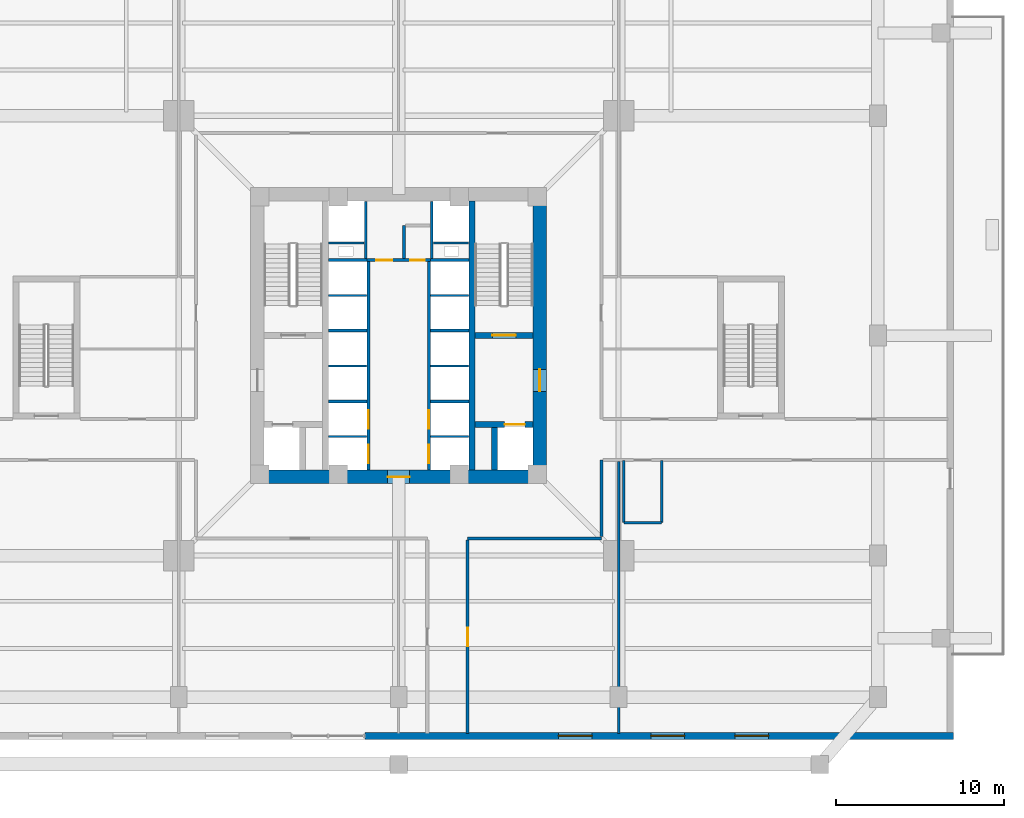
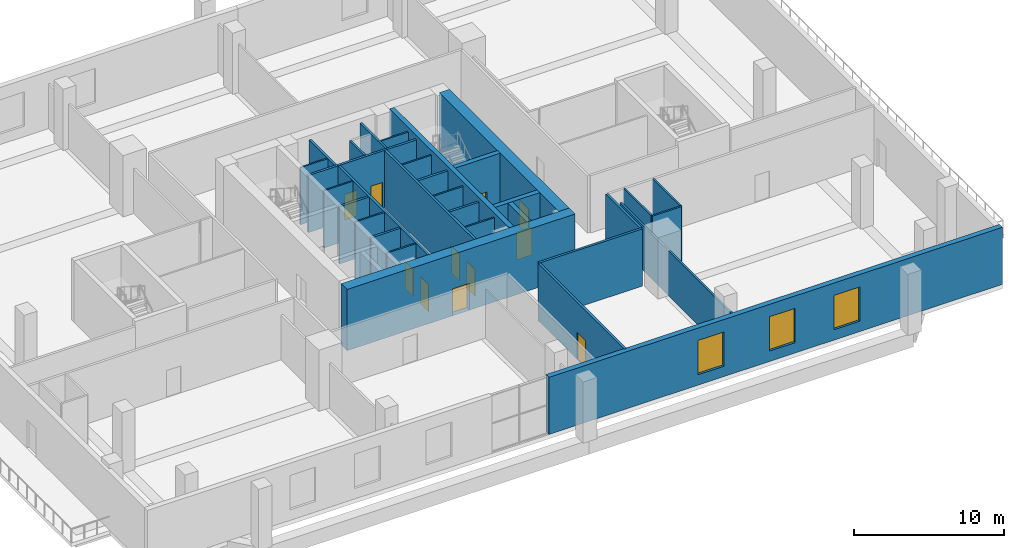
# One storey, part 7 of 14: 34 walls, 11 doors, 3 windows, 14 openings.
"""IFC4 building model written with IfcOpenShell, lengths in metres."""

import ifcopenshell
import ifcopenshell.guid

model = None  # the IFC model being written
_history = None  # IfcOwnerHistory: only IFC2X3 demands one
_inside = {}  # id of a spatial element -> (the spatial element, [elements in it])
_under = {}  # id of a project, library or spatial element -> (it, [spatial elements below it])
_declared = {}  # id of a project -> (the project, [libraries it declares])
_typed = {}  # id of a type object -> (the type object, [elements of that type])
_made_of = {}  # id of a material, layer set ... -> (it, [elements and type objects made of it])


def new_model(schema):
    """Start an empty IFC model of exactly this schema.

    Asked for "IFC4X3", IfcOpenShell would pick the latest addendum, in which some entities
    have other attributes; the version numbers below select the first issue.
    IFC2X3 requires an IfcOwnerHistory on every rooted entity: one is made here for all.
    """
    global model, _history
    if schema == "IFC4X3":
        model = ifcopenshell.file(schema_version=(4, 3, 0, 0))
    else:
        model = ifcopenshell.file(schema=schema)
    _inside.clear()
    _under.clear()
    _declared.clear()
    _typed.clear()
    _made_of.clear()
    _history = None
    if model.schema == "IFC2X3":
        org = make("IfcOrganization", Name="unknown")
        user = make(
            "IfcPersonAndOrganization",
            ThePerson=make("IfcPerson", FamilyName="unknown"),
            TheOrganization=org,
        )
        app = make(
            "IfcApplication",
            ApplicationDeveloper=org,
            Version="unknown",
            ApplicationFullName="unknown",
            ApplicationIdentifier="unknown",
        )
        _history = make(
            "IfcOwnerHistory",
            OwningUser=user,
            OwningApplication=app,
            ChangeAction="ADDED",
            CreationDate=0,
        )
    return model


def make(cls, **values):
    """One entity of the class cls with the attributes given. An attribute that is None is left unset."""
    return model.create_entity(
        cls, **{name: value for name, value in values.items() if value is not None}
    )


def rooted(cls, **values):
    """An entity with a GlobalId (a new one), such as an element, a storey or a relation."""
    return make(cls, GlobalId=ifcopenshell.guid.new(), OwnerHistory=_history, **values)


def si_unit(unit_type, name, prefix=None):
    """IfcSIUnit, for example si_unit("LENGTHUNIT", "METRE", prefix="MILLI")."""
    return make("IfcSIUnit", UnitType=unit_type, Prefix=prefix, Name=name)


def assignment(units):
    """IfcUnitAssignment: the units of a project."""
    return None if units is None else make("IfcUnitAssignment", Units=units)


def point(xyz):
    """IfcCartesianPoint."""
    return None if xyz is None else make("IfcCartesianPoint", Coordinates=xyz)


def direction(xyz):
    """IfcDirection."""
    return None if xyz is None else make("IfcDirection", DirectionRatios=xyz)


def frame(location, z_axis=None, x_axis=None):
    """IfcAxis2Placement3D, a coordinate frame: its origin and axes. An axis left out is left unset."""
    return make(
        "IfcAxis2Placement3D",
        Location=point(location),
        Axis=direction(z_axis),
        RefDirection=direction(x_axis),
    )


def frame_2d(location, x_axis=None):
    """IfcAxis2Placement2D, a coordinate frame in the plane: its origin and x axis."""
    return make(
        "IfcAxis2Placement2D", Location=point(location), RefDirection=direction(x_axis)
    )


def origin():
    """The frame at (0, 0, 0) with its axes left unset."""
    return frame((0.0, 0.0, 0.0))


def place(relative_to, where):
    """IfcLocalPlacement: puts the frame where relative to a parent placement (None: the world)."""
    return make(
        "IfcLocalPlacement", PlacementRelTo=relative_to, RelativePlacement=where
    )


def context(
    kind, dimensions, precision=None, world=None, true_north=None, identifier=None
):
    """IfcGeometricRepresentationContext, for example the 3D "Model" context."""
    return make(
        "IfcGeometricRepresentationContext",
        ContextIdentifier=identifier,
        ContextType=kind,
        CoordinateSpaceDimension=dimensions,
        Precision=precision,
        WorldCoordinateSystem=world,
        TrueNorth=true_north,
    )


def subcontext(parent, identifier, kind, view, scale=None):
    """IfcGeometricRepresentationSubContext, for example "Body" below "Model"."""
    return make(
        "IfcGeometricRepresentationSubContext",
        ContextIdentifier=identifier,
        ContextType=kind,
        ParentContext=parent,
        TargetScale=scale,
        TargetView=view,
    )


def project(units=None, contexts=None):
    """IfcProject with its units and contexts."""
    return rooted(
        "IfcProject",
        Name="project",
        RepresentationContexts=contexts,
        UnitsInContext=assignment(units),
    )


def spatial(cls, under=None, at=None, **own):
    """A site, building, storey or space (cls), placed at a placement, below another one or the project."""
    s = rooted(cls, ObjectPlacement=at, **own)
    if under is not None:
        _under.setdefault(under.id(), (under, []))[1].append(s)
    return s


def profile(cls, at=None, kind="AREA", **sizes):
    """A parametric profile (cls). Its sizes go by their IFC names, for example OverallWidth=200.0."""
    return make(cls, ProfileType=kind, Position=at, **sizes)


def rectangle(**sizes):
    """IfcRectangleProfileDef."""
    return profile("IfcRectangleProfileDef", **sizes)


def extrude(swept, where, along, depth):
    """IfcExtrudedAreaSolid: the profile swept, set in the frame where, extruded along a direction by depth."""
    return make(
        "IfcExtrudedAreaSolid",
        SweptArea=swept,
        Position=where,
        ExtrudedDirection=direction(along),
        Depth=depth,
    )


def shape(context_of_items, identifier, shape_type, items):
    """IfcShapeRepresentation: the items that make up one representation, for example the "Body"."""
    return make(
        "IfcShapeRepresentation",
        ContextOfItems=context_of_items,
        RepresentationIdentifier=identifier,
        RepresentationType=shape_type,
        Items=items,
    )


def source(mapping_origin, context_of_items, identifier, shape_type, items):
    """IfcRepresentationMap: a shape defined once, which mapped items show again and again."""
    return make(
        "IfcRepresentationMap",
        MappingOrigin=mapping_origin,
        MappedRepresentation=shape(context_of_items, identifier, shape_type, items),
    )


def transform(
    local_origin,
    x_axis=None,
    y_axis=None,
    z_axis=None,
    scale=None,
    scale2=None,
    scale3=None,
    uniform=True,
):
    """IfcCartesianTransformationOperator3D, or its non-uniform kind. x_axis, y_axis, z_axis: its Axis1, 2, 3."""
    if uniform:
        return make(
            "IfcCartesianTransformationOperator3D",
            Axis1=direction(x_axis),
            Axis2=direction(y_axis),
            LocalOrigin=point(local_origin),
            Scale=scale,
            Axis3=direction(z_axis),
        )
    return make(
        "IfcCartesianTransformationOperator3DnonUniform",
        Axis1=direction(x_axis),
        Axis2=direction(y_axis),
        LocalOrigin=point(local_origin),
        Scale=scale,
        Axis3=direction(z_axis),
        Scale2=scale2,
        Scale3=scale3,
    )


def mapped(mapping_source, mapping_target):
    """IfcMappedItem: shows the shape of a source again, moved by a transform."""
    return make(
        "IfcMappedItem", MappingSource=mapping_source, MappingTarget=mapping_target
    )


def material(Name=None, Category=None):
    """IfcMaterial."""
    return make("IfcMaterial", Name=Name, Category=Category)


def layer(
    of_material, thickness, ventilated=None, Name=None, Category=None, Priority=None
):
    """IfcMaterialLayer: one layer of a wall or slab, of a material (None: an air gap)."""
    return make(
        "IfcMaterialLayer",
        Material=of_material,
        LayerThickness=thickness,
        IsVentilated=ventilated,
        Name=Name,
        Category=Category,
        Priority=Priority,
    )


def layer_set(layers, Name=None):
    """IfcMaterialLayerSet."""
    return make("IfcMaterialLayerSet", MaterialLayers=layers, LayerSetName=Name)


def made_of(thing, what):
    """Note that an element or type object is made of a material, layer set ...; save() writes the relation."""
    if what is not None:
        _made_of.setdefault(what.id(), (what, []))[1].append(thing)
    return thing


def type_object(cls, material=None, **own):
    """A type object (cls), such as IfcWallType, which elements share."""
    return made_of(rooted(cls, **own), material)


def element(
    cls,
    number,
    at=None,
    inside=None,
    cuts=None,
    type_object=None,
    material=None,
    context=None,
    identifier="Body",
    shape_type=None,
    held_by="IfcProductDefinitionShape",
    body=None,
    shapes=None,
    **own,
):
    """One element of the class cls, such as IfcWall. Its Tag is "e" and its number.

    at: its placement. inside: the storey or other place that contains it. cuts: it is an
    opening in that element (IfcRelVoidsElement). A single representation is given by context,
    identifier, shape_type and body (its items); several are given by shapes. held_by: the class
    of the entity that holds the representations. save() writes the other relations.
    """
    e = rooted(cls, Tag="e%d" % number, ObjectPlacement=at, **own)
    if body is not None:
        shapes = [shape(context, identifier, shape_type, body)]
    if shapes is not None:
        e.Representation = make(held_by, Representations=shapes)
    if inside is not None:
        _inside.setdefault(inside.id(), (inside, []))[1].append(e)
    if cuts is not None:
        rooted(
            "IfcRelVoidsElement", RelatingBuildingElement=cuts, RelatedOpeningElement=e
        )
    if type_object is not None:
        _typed.setdefault(type_object.id(), (type_object, []))[1].append(e)
    return made_of(e, material)


def fill(opening, filler):
    """IfcRelFillsElement: the door or window that sits in an opening."""
    return rooted(
        "IfcRelFillsElement",
        RelatingOpeningElement=opening,
        RelatedBuildingElement=filler,
    )


def aggregate(whole, parts):
    """IfcRelAggregates: a whole, such as a stair, and the parts it consists of."""
    return rooted("IfcRelAggregates", RelatingObject=whole, RelatedObjects=parts)


def save(model, path):
    """Write the relations noted so far, then the file.

    IfcRelAggregates (storeys below a building ...), IfcRelContainedInSpatialStructure (elements
    in a storey), IfcRelDefinesByType, IfcRelAssociatesMaterial and IfcRelDeclares: one each for
    every whole, place, type object, material and project.
    """
    for whole, parts in _under.values():
        aggregate(whole, parts)
    for where, things in _inside.values():
        rooted(
            "IfcRelContainedInSpatialStructure",
            RelatedElements=things,
            RelatingStructure=where,
        )
    for kind, things in _typed.values():
        rooted("IfcRelDefinesByType", RelatedObjects=things, RelatingType=kind)
    for what, things in _made_of.values():
        rooted("IfcRelAssociatesMaterial", RelatedObjects=things, RelatingMaterial=what)
    for by, libraries in _declared.values():
        rooted("IfcRelDeclares", RelatingContext=by, RelatedDefinitions=libraries)
    model.write(path)


model = new_model("IFC4")

# Units and contexts
model_context = context("Model", 3, precision=1e-05, world=origin(), true_north=direction((0.0, 1.0)))
body_context = subcontext(model_context, "Body", "Model", "MODEL_VIEW")
ifc_project = project(units=[si_unit("LENGTHUNIT", "METRE"), si_unit("AREAUNIT", "SQUARE_METRE"), si_unit("VOLUMEUNIT", "CUBIC_METRE"), si_unit("PLANEANGLEUNIT", "RADIAN"), si_unit("MASSUNIT", "GRAM", prefix="KILO"), si_unit("THERMODYNAMICTEMPERATUREUNIT", "KELVIN")], contexts=[model_context])

# Site, building, storey
site_placement = place(None, origin())
site = spatial("IfcSite", under=ifc_project, at=site_placement, CompositionType="ELEMENT")
building_placement = place(site_placement, origin())
building = spatial("IfcBuilding", under=site, at=building_placement, Name="Kosmvard Interchange Tower", CompositionType="ELEMENT")
storey_placement = place(building_placement, frame((0.0, 0.0, 16.0)))
storey = spatial("IfcBuildingStorey", under=building, at=storey_placement, Name="L03", CompositionType="ELEMENT", Elevation=16.0)

# Walls
ifc_material_1 = material(Name="Acoustic gypsum partition system")
ifc_layer_1 = layer(ifc_material_1, 0.14990234375, Name="Acoustic gypsum partition system")
ifc_layer_set_1 = layer_set([ifc_layer_1], Name="Acoustic gypsum partition system")
wall_type_1 = type_object("IfcWallType", Name="Acoustic Suite & Meeting Partition 150", PredefinedType="PARTITIONING", material=ifc_layer_set_1)
wall_1_placement = place(storey_placement, frame((13.0810546875, -23.6650390625, 0.0), z_axis=(0.0, 0.0, 1.0), x_axis=(0.0, 1.0, 0.0)))
element("IfcWall", 1, at=wall_1_placement, inside=storey, type_object=wall_type_1, Name="L03 Room Partition 10.1", PredefinedType="PARTITIONING", context=body_context, shape_type="SweptSolid", body=[
    extrude(rectangle(XDim=16.169921875, YDim=0.14990234375, at=frame_2d((8.0849609375, 0.0))), origin(), (0.0, 0.0, 1.0), 3.652099609375),
])
ifc_material_2 = material(Name="Fire-rated gypsum partition system")
ifc_layer_2 = layer(ifc_material_2, 0.159912109375, Name="Fire-rated gypsum partition system")
ifc_layer_set_2 = layer_set([ifc_layer_2], Name="Fire-rated gypsum partition system")
wall_type_2 = type_object("IfcWallType", Name="Core Compartment & Shuttle Lobby Partition 160", PredefinedType="PARTITIONING", material=ifc_layer_set_2)
for number, where, z_axis, x_axis, name in (
    (2, (-1.9599609375, 4.580078125, 0.0), (0.0, 0.0, 1.0), (0.0, 1.0, 0.0), "L03 North Core West Wall"),
    (3, (1.9599609375, 4.580078125, 0.0), (0.0, 0.0, 1.0), (0.0, 1.0, 0.0), "L03 North Core East Wall"),
):
    element("IfcWall", number, at=place(storey_placement, frame(where, z_axis=z_axis, x_axis=x_axis)), inside=storey, type_object=wall_type_2, Name=name, PredefinedType="PARTITIONING", context=body_context, shape_type="SweptSolid", body=[
        extrude(rectangle(XDim=3.39990234375, YDim=0.159912109375, at=frame_2d((1.699951171875, 0.0))), origin(), (0.0, 0.0, 1.0), 4.659912109375),
    ])
ifc_material_3 = material(Name="Concrete blockwork masonry", Category="masonry")
ifc_layer_3 = layer(ifc_material_3, 0.159912109375, Name="Concrete blockwork masonry")
ifc_layer_set_3 = layer_set([ifc_layer_3], Name="Concrete blockwork masonry")
wall_type_3 = type_object("IfcWallType", Name="Core Enclosure Split Wall 160", PredefinedType="PARTITIONING", material=ifc_layer_set_3)
wall_2_placement = place(storey_placement, frame((0.320068359375, 4.60009765625, 0.0), z_axis=(0.0, 0.0, 1.0), x_axis=(0.0, 1.0, 0.0)))
element("IfcWall", 4, at=wall_2_placement, inside=storey, type_object=wall_type_3, Name="L03 Core K3 L-Wall 1", PredefinedType="PARTITIONING", context=body_context, shape_type="SweptSolid", body=[
    extrude(rectangle(XDim=1.949951171875, YDim=0.159912109375, at=frame_2d((0.97509765625, 0.0))), origin(), (0.0, 0.0, 1.0), 4.659912109375),
])

# Wall, openings, doors
ifc_layer_4 = layer(ifc_material_2, 0.179931640625, Name="Fire-rated gypsum partition system")
ifc_layer_set_4 = layer_set([ifc_layer_4], Name="Fire-rated gypsum partition system")
wall_type_4 = type_object("IfcWallType", Name="Corridor & Hotel Compartment Partition 180", PredefinedType="PARTITIONING", material=ifc_layer_set_4)
wall_3_placement = place(storey_placement, frame((-1.7900390625, -7.97998046875, 0.0), z_axis=(0.0, 0.0, 1.0), x_axis=(0.0, 1.0, 0.0)))
wall_3 = element("IfcWall", 5, at=wall_3_placement, inside=storey, type_object=wall_type_4, Name="L03 West Lift Bank Front Wall", PredefinedType="PARTITIONING", context=body_context, shape_type="SweptSolid", body=[
    extrude(rectangle(XDim=12.3798828125, YDim=0.179931640625, at=frame_2d((6.18994140625, 0.0))), origin(), (0.0, 0.0, 1.0), 4.659912109375),
])
opening_1_placement = place(wall_3_placement, frame((0.39990234375, 0.0, 0.0)))
opening_1 = element("IfcOpeningElement", 6, at=opening_1_placement, cuts=wall_3, Name="Opening LD-PL-L1-L03", PredefinedType="OPENING", context=body_context, shape_type="SweptSolid", body=[
    extrude(rectangle(XDim=1.10009765625, YDim=2.199951171875, at=frame_2d((0.550048828125, 1.10009765625))), frame((0.0, 0.10009765625, 0.0), z_axis=(0.0, -1.0, 0.0), x_axis=(1.0, 0.0, 0.0)), (0.0, 0.0, 1.0), 0.199951171875),
])
opening_2_placement = place(wall_3_placement, frame((2.4599609375, 0.0, 0.0)))
opening_2 = element("IfcOpeningElement", 7, at=opening_2_placement, cuts=wall_3, Name="Opening LD-PL-L2-L03", PredefinedType="OPENING", context=body_context, shape_type="SweptSolid", body=[
    extrude(rectangle(XDim=1.10009765625, YDim=2.199951171875, at=frame_2d((0.550048828125, 1.10009765625))), frame((0.0, 0.10009765625, 0.0), z_axis=(0.0, -1.0, 0.0), x_axis=(1.0, 0.0, 0.0)), (0.0, 0.0, 1.0), 0.199951171875),
])
ifc_material_4 = material(Name="Brushed stainless steel sliding leaf", Category="steel")
door_type_1 = type_object("IfcDoorType", Name="Passenger Lift Sliding Landing Door 1100x2200 EI60", OperationType="DOUBLE_DOOR_SLIDING", PredefinedType="DOOR", material=ifc_material_4)
shared_shape_1 = source(origin(), body_context, "Body", "SweptSolid", [
    extrude(rectangle(XDim=1.10009765625, YDim=2.199951171875, at=frame_2d((0.550048828125, 1.10009765625))), frame((0.0, 0.02490234375, 0.0), z_axis=(0.0, -1.0, 0.0), x_axis=(1.0, 0.0, 0.0)), (0.0, 0.0, 1.0), 0.050048828125),
])
door_1_placement = place(opening_1_placement, frame((1.10009765625, 0.0, 0.0), z_axis=(0.0, 0.0, 1.0), x_axis=(-1.0, 0.0, 0.0)))
door_1 = element("IfcDoor", 8, at=door_1_placement, inside=storey, type_object=door_type_1, Name="Lift PL-L1 Landing Door L03", OperationType="DOUBLE_DOOR_SLIDING", OverallHeight=2.199951171875, OverallWidth=1.10009765625, PredefinedType="DOOR", context=body_context, shape_type="MappedRepresentation", body=[
    mapped(shared_shape_1, transform((0.0, 0.0, 0.0), scale=1.0)),
])
fill(opening_1, door_1)
door_2_placement = place(opening_2_placement, frame((1.10009765625, 0.0, 0.0), z_axis=(0.0, 0.0, 1.0), x_axis=(-1.0, 0.0, 0.0)))
door_2 = element("IfcDoor", 9, at=door_2_placement, inside=storey, type_object=door_type_1, Name="Lift PL-L2 Landing Door L03", OperationType="DOUBLE_DOOR_SLIDING", OverallHeight=2.199951171875, OverallWidth=1.10009765625, PredefinedType="DOOR", context=body_context, shape_type="MappedRepresentation", body=[
    mapped(shared_shape_1, transform((0.0, 0.0, 0.0), scale=1.0)),
])
fill(opening_2, door_2)

wall_4_placement = place(storey_placement, frame((1.7900390625, -7.97998046875, 0.0), z_axis=(0.0, 0.0, 1.0), x_axis=(0.0, 1.0, 0.0)))
wall_4 = element("IfcWall", 10, at=wall_4_placement, inside=storey, type_object=wall_type_4, Name="L03 East Lift Bank Front Wall", PredefinedType="PARTITIONING", context=body_context, shape_type="SweptSolid", body=[
    extrude(rectangle(XDim=12.3798828125, YDim=0.179931640625, at=frame_2d((6.18994140625, 0.0))), origin(), (0.0, 0.0, 1.0), 4.659912109375),
])
opening_3_placement = place(wall_4_placement, frame((0.39990234375, 0.0, 0.0)))
opening_3 = element("IfcOpeningElement", 11, at=opening_3_placement, cuts=wall_4, Name="Opening LD-PL-L3-L03", PredefinedType="OPENING", context=body_context, shape_type="SweptSolid", body=[
    extrude(rectangle(XDim=1.10009765625, YDim=2.199951171875, at=frame_2d((0.550048828125, 1.10009765625))), frame((0.0, 0.10009765625, 0.0), z_axis=(0.0, -1.0, 0.0), x_axis=(1.0, 0.0, 0.0)), (0.0, 0.0, 1.0), 0.199951171875),
])
opening_4_placement = place(wall_4_placement, frame((2.4599609375, 0.0, 0.0)))
opening_4 = element("IfcOpeningElement", 12, at=opening_4_placement, cuts=wall_4, Name="Opening LD-PL-L4-L03", PredefinedType="OPENING", context=body_context, shape_type="SweptSolid", body=[
    extrude(rectangle(XDim=1.10009765625, YDim=2.199951171875, at=frame_2d((0.550048828125, 1.10009765625))), frame((0.0, 0.10009765625, 0.0), z_axis=(0.0, -1.0, 0.0), x_axis=(1.0, 0.0, 0.0)), (0.0, 0.0, 1.0), 0.199951171875),
])
door_3_placement = place(opening_3_placement, origin())
door_3 = element("IfcDoor", 13, at=door_3_placement, inside=storey, type_object=door_type_1, Name="Lift PL-L3 Landing Door L03", OperationType="DOUBLE_DOOR_SLIDING", OverallHeight=2.199951171875, OverallWidth=1.10009765625, PredefinedType="DOOR", context=body_context, shape_type="MappedRepresentation", body=[
    mapped(shared_shape_1, transform((0.0, 0.0, 0.0), scale=1.0)),
])
fill(opening_3, door_3)
door_4_placement = place(opening_4_placement, origin())
door_4 = element("IfcDoor", 14, at=door_4_placement, inside=storey, type_object=door_type_1, Name="Lift PL-L4 Landing Door L03", OperationType="DOUBLE_DOOR_SLIDING", OverallHeight=2.199951171875, OverallWidth=1.10009765625, PredefinedType="DOOR", context=body_context, shape_type="MappedRepresentation", body=[
    mapped(shared_shape_1, transform((0.0, 0.0, 0.0), scale=1.0)),
])
fill(opening_4, door_4)

wall_5_placement = place(storey_placement, frame((-1.8798828125, 4.489990234375, 0.0), z_axis=(0.0, 0.0, 1.0), x_axis=(1.0, 0.0, 0.0)))
wall_5 = element("IfcWall", 15, at=wall_5_placement, inside=storey, type_object=wall_type_4, Name="L03 Lift Lobby North Partition", PredefinedType="PARTITIONING", context=body_context, shape_type="SweptSolid", body=[
    extrude(rectangle(XDim=3.759765625, YDim=0.179931640625, at=frame_2d((1.8798828125, 0.0))), origin(), (0.0, 0.0, 1.0), 4.659912109375),
])
opening_5_placement = place(wall_5_placement, frame((0.550048828125, 0.0, 0.0)))
opening_5 = element("IfcOpeningElement", 16, at=opening_5_placement, cuts=wall_5, Name="Opening L03-KD1", PredefinedType="OPENING", context=body_context, shape_type="SweptSolid", body=[
    extrude(rectangle(XDim=0.949951171875, YDim=2.10009765625, at=frame_2d((0.47509765625, 1.050048828125))), frame((0.0, 0.10009765625, 0.0), z_axis=(0.0, -1.0, 0.0), x_axis=(1.0, 0.0, 0.0)), (0.0, 0.0, 1.0), 0.199951171875),
])
opening_6_placement = place(wall_5_placement, frame((2.56005859375, 0.0, 0.0)))
opening_6 = element("IfcOpeningElement", 17, at=opening_6_placement, cuts=wall_5, Name="Opening L03-KD2", PredefinedType="OPENING", context=body_context, shape_type="SweptSolid", body=[
    extrude(rectangle(XDim=0.8798828125, YDim=2.10009765625, at=frame_2d((0.43994140625, 1.050048828125))), frame((0.0, 0.10009765625, 0.0), z_axis=(0.0, -1.0, 0.0), x_axis=(1.0, 0.0, 0.0)), (0.0, 0.0, 1.0), 0.199951171875),
])
ifc_material_5 = material(Name="Painted fire-rated timber leaf", Category="wood")
door_type_2 = type_object("IfcDoorType", Name="Core Service Fire Door 950x2100 EI30", OperationType="NOTDEFINED", PredefinedType="DOOR", material=ifc_material_5)
shared_shape_2 = source(origin(), body_context, "Body", "SweptSolid", [
    extrude(rectangle(XDim=0.949951171875, YDim=2.10009765625, at=frame_2d((0.47509765625, 1.050048828125))), frame((0.0, 0.02490234375, 0.0), z_axis=(0.0, -1.0, 0.0), x_axis=(1.0, 0.0, 0.0)), (0.0, 0.0, 1.0), 0.050048828125),
])
door_5_placement = place(opening_5_placement, origin())
door_5 = element("IfcDoor", 18, at=door_5_placement, inside=storey, type_object=door_type_2, Name="L03 Core Archive Store Door", OperationType="SINGLE_SWING_LEFT", OverallHeight=2.10009765625, OverallWidth=0.949951171875, PredefinedType="DOOR", context=body_context, shape_type="MappedRepresentation", body=[
    mapped(shared_shape_2, transform((0.0, 0.0, 0.0), scale=1.0)),
])
fill(opening_5, door_5)
door_type_3 = type_object("IfcDoorType", Name="Core Cupboard Fire Door 880x2100 EI30", OperationType="NOTDEFINED", PredefinedType="DOOR", material=ifc_material_5)
shared_shape_3 = source(origin(), body_context, "Body", "SweptSolid", [
    extrude(rectangle(XDim=0.8798828125, YDim=2.10009765625, at=frame_2d((0.43994140625, 1.050048828125))), frame((0.0, 0.02490234375, 0.0), z_axis=(0.0, -1.0, 0.0), x_axis=(1.0, 0.0, 0.0)), (0.0, 0.0, 1.0), 0.050048828125),
])
door_6_placement = place(opening_6_placement, origin())
door_6 = element("IfcDoor", 19, at=door_6_placement, inside=storey, type_object=door_type_3, Name="L03 Core Supplies Cupboard Door", OperationType="SINGLE_SWING_RIGHT", OverallHeight=2.10009765625, OverallWidth=0.8798828125, PredefinedType="DOOR", context=body_context, shape_type="MappedRepresentation", body=[
    mapped(shared_shape_3, transform((0.0, 0.0, 0.0), scale=1.0)),
])
fill(opening_6, door_6)

# Walls
wall_6_placement = place(storey_placement, frame((4.10009765625, -12.050048828125, 0.0), z_axis=(0.0, 0.0, 1.0), x_axis=(1.0, 0.0, 0.0)))
element("IfcWall", 20, at=wall_6_placement, inside=storey, type_object=wall_type_4, Name="L03 Corridor Wall CSE", PredefinedType="PARTITIONING", context=body_context, shape_type="SweptSolid", body=[
    extrude(rectangle(XDim=7.949951171875, YDim=0.179931640625, at=frame_2d((3.97509765625, 0.0))), origin(), (0.0, 0.0, 1.0), 4.659912109375),
])
wall_7_placement = place(storey_placement, frame((12.050048828125, -11.949951171875, 0.0), z_axis=(0.0, 0.0, 1.0), x_axis=(0.0, 1.0, 0.0)))
element("IfcWall", 21, at=wall_7_placement, inside=storey, type_object=wall_type_4, Name="L03 Corridor Wall CES", PredefinedType="PARTITIONING", context=body_context, shape_type="SweptSolid", body=[
    extrude(rectangle(XDim=4.550048828125, YDim=0.179931640625, at=frame_2d((2.27490234375, 0.0))), origin(), (0.0, 0.0, 1.0), 4.659912109375),
])

# Wall, opening, door
wall_8_placement = place(storey_placement, frame((4.10009765625, -23.6650390625, 0.0), z_axis=(0.0, 0.0, 1.0), x_axis=(0.0, 1.0, 0.0)))
wall_8 = element("IfcWall", 22, at=wall_8_placement, inside=storey, type_object=wall_type_4, Name="L03 Corridor Wall SSE", PredefinedType="PARTITIONING", context=body_context, shape_type="SweptSolid", body=[
    extrude(rectangle(XDim=11.51513671875, YDim=0.179931640625, at=frame_2d((5.757568359375, 0.0))), origin(), (0.0, 0.0, 1.0), 4.659912109375),
])
opening_7_placement = place(wall_8_placement, frame((5.20751953125, 0.0, 0.0)))
opening_7 = element("IfcOpeningElement", 23, at=opening_7_placement, cuts=wall_8, Name="Opening L03-D14", PredefinedType="OPENING", context=body_context, shape_type="SweptSolid", body=[
    extrude(rectangle(XDim=1.10009765625, YDim=2.199951171875, at=frame_2d((0.550048828125, 1.10009765625))), frame((0.0, 0.10009765625, 0.0), z_axis=(0.0, -1.0, 0.0), x_axis=(1.0, 0.0, 0.0)), (0.0, 0.0, 1.0), 0.199951171875),
])
ifc_material_6 = material(Name="Engineered oak fire-rated timber", Category="wood")
door_type_4 = type_object("IfcDoorType", Name="Office Suite Entrance Door 1100x2200 FD30S", OperationType="NOTDEFINED", PredefinedType="DOOR", material=ifc_material_6)
door_7_placement = place(opening_7_placement, frame((1.10009765625, 0.0, 0.0), z_axis=(0.0, 0.0, 1.0), x_axis=(-1.0, 0.0, 0.0)))
door_7 = element("IfcDoor", 24, at=door_7_placement, inside=storey, type_object=door_type_4, Name="L03 L03 Boardroom 4 Door", OperationType="SINGLE_SWING_RIGHT", OverallHeight=2.199951171875, OverallWidth=1.10009765625, PredefinedType="DOOR", context=body_context, shape_type="MappedRepresentation", body=[
    mapped(shared_shape_1, transform((0.0, 0.0, 0.0), scale=1.0)),
])
fill(opening_7, door_7)

ifc_material_7 = material(Name="Concrete C80/95", Category="concrete")
ifc_layer_5 = layer(ifc_material_7, 0.800048828125, Name="Concrete C80/95")
ifc_layer_set_5 = layer_set([ifc_layer_5], Name="Concrete C80/95")
wall_type_5 = type_object("IfcWallType", Name="Lower Core Shear Wall 800 C80/95", PredefinedType="SHEAR", material=ifc_layer_set_5)
wall_9_placement = place(storey_placement, frame((-8.800048828125, -8.39990234375, 0.0), z_axis=(0.0, 0.0, 1.0), x_axis=(1.0, 0.0, 0.0)))
wall_9 = element("IfcWall", 25, at=wall_9_placement, inside=storey, type_object=wall_type_5, Name="L03 Core Shear Wall CW-S", PredefinedType="SHEAR", context=body_context, shape_type="SweptSolid", body=[
    extrude(rectangle(XDim=17.60009765625, YDim=0.800048828125, at=frame_2d((8.800048828125, 0.0))), origin(), (0.0, 0.0, 1.0), 5.0),
])
opening_8_placement = place(wall_9_placement, frame((8.14990234375, 0.0, 0.0)))
opening_8 = element("IfcOpeningElement", 26, at=opening_8_placement, cuts=wall_9, Name="Opening L03-LD0", PredefinedType="OPENING", context=body_context, shape_type="SweptSolid", body=[
    extrude(rectangle(XDim=1.300048828125, YDim=2.199951171875, at=frame_2d((0.64990234375, 1.10009765625))), frame((0.0, 0.41015625, 0.0), z_axis=(0.0, -1.0, 0.0), x_axis=(1.0, 0.0, 0.0)), (0.0, 0.0, 1.0), 0.820068359375),
])
ifc_material_8 = material(Name="Painted fire-rated steel leaf", Category="steel")
door_type_5 = type_object("IfcDoorType", Name="Firefighting Lobby Door 1300x2200 EI60", OperationType="NOTDEFINED", PredefinedType="DOOR", material=ifc_material_8)
shared_shape_4 = source(origin(), body_context, "Body", "SweptSolid", [
    extrude(rectangle(XDim=1.300048828125, YDim=2.199951171875, at=frame_2d((0.64990234375, 1.10009765625))), frame((0.0, 0.02490234375, 0.0), z_axis=(0.0, -1.0, 0.0), x_axis=(1.0, 0.0, 0.0)), (0.0, 0.0, 1.0), 0.050048828125),
])
door_8_placement = place(opening_8_placement, frame((1.300048828125, 0.0, 0.0), z_axis=(0.0, 0.0, 1.0), x_axis=(-1.0, 0.0, 0.0)))
door_8 = element("IfcDoor", 27, at=door_8_placement, inside=storey, type_object=door_type_5, Name="L03 Passenger Lift Lobby South Door", OperationType="SINGLE_SWING_RIGHT", OverallHeight=2.199951171875, OverallWidth=1.300048828125, PredefinedType="DOOR", context=body_context, shape_type="MappedRepresentation", body=[
    mapped(shared_shape_4, transform((0.0, 0.0, 0.0), scale=1.0)),
])
fill(opening_8, door_8)

wall_10_placement = place(storey_placement, frame((8.39990234375, -8.0, 0.0), z_axis=(0.0, 0.0, 1.0), x_axis=(0.0, 1.0, 0.0)))
wall_10 = element("IfcWall", 28, at=wall_10_placement, inside=storey, type_object=wall_type_5, Name="L03 Core Shear Wall CW-E", PredefinedType="SHEAR", context=body_context, shape_type="SweptSolid", body=[
    extrude(rectangle(XDim=16.0, YDim=0.800048828125, at=frame_2d((8.0, 0.0))), origin(), (0.0, 0.0, 1.0), 5.0),
])
opening_9_placement = place(wall_10_placement, frame((4.68994140625, 0.0, 0.0)))
opening_9 = element("IfcOpeningElement", 29, at=opening_9_placement, cuts=wall_10, Name="Opening L03-FD2", PredefinedType="OPENING", context=body_context, shape_type="SweptSolid", body=[
    extrude(rectangle(XDim=1.300048828125, YDim=2.199951171875, at=frame_2d((0.64990234375, 1.10009765625))), frame((0.0, 0.41015625, 0.0), z_axis=(0.0, -1.0, 0.0), x_axis=(1.0, 0.0, 0.0)), (0.0, 0.0, 1.0), 0.820068359375),
])
door_9_placement = place(opening_9_placement, origin())
door_9 = element("IfcDoor", 30, at=door_9_placement, inside=storey, type_object=door_type_5, Name="L03 Firefighting Lobby East Door", OperationType="SINGLE_SWING_RIGHT", OverallHeight=2.199951171875, OverallWidth=1.300048828125, PredefinedType="DOOR", context=body_context, shape_type="MappedRepresentation", body=[
    mapped(shared_shape_4, transform((0.0, 0.0, 0.0), scale=1.0)),
])
fill(opening_9, door_9)

# Wall, openings, windows
ifc_material_9 = material(Name="Precast concrete C45/55", Category="concrete")
ifc_layer_6 = layer(ifc_material_9, 0.39990234375, Name="Precast concrete C45/55")
ifc_layer_set_6 = layer_set([ifc_layer_6], Name="Precast concrete C45/55")
wall_type_6 = type_object("IfcWallType", Name="Podium Precast Stone Pier Wall 400 C45/55", PredefinedType="STANDARD", material=ifc_layer_set_6)
wall_11_placement = place(storey_placement, frame((-2.0, -23.800048828125, 0.0), z_axis=(0.0, 0.0, 1.0), x_axis=(1.0, 0.0, 0.0)))
wall_11 = element("IfcWall", 31, at=wall_11_placement, inside=storey, type_object=wall_type_6, Name="L03 Podium Precast Wall EW-S2", PredefinedType="STANDARD", context=body_context, shape_type="SweptSolid", body=[
    extrude(rectangle(XDim=35.0, YDim=0.39990234375, at=frame_2d((17.5, 0.0))), origin(), (0.0, 0.0, 1.0), 4.659912109375),
])
opening_10_placement = place(wall_11_placement, frame((11.5, 0.0, 0.85009765625)))
opening_10 = element("IfcOpeningElement", 32, at=opening_10_placement, cuts=wall_11, Name="Opening L03-W4", PredefinedType="OPENING", context=body_context, shape_type="SweptSolid", body=[
    extrude(rectangle(XDim=2.0, YDim=2.800048828125, at=frame_2d((1.0, 1.39990234375))), frame((0.0, 0.2099609375, 0.0), z_axis=(0.0, -1.0, 0.0), x_axis=(1.0, 0.0, 0.0)), (0.0, 0.0, 1.0), 0.419921875),
])
opening_11_placement = place(wall_11_placement, frame((17.0, 0.0, 0.85009765625)))
opening_11 = element("IfcOpeningElement", 33, at=opening_11_placement, cuts=wall_11, Name="Opening L03-W5", PredefinedType="OPENING", context=body_context, shape_type="SweptSolid", body=[
    extrude(rectangle(XDim=2.0, YDim=2.800048828125, at=frame_2d((1.0, 1.39990234375))), frame((0.0, 0.2099609375, 0.0), z_axis=(0.0, -1.0, 0.0), x_axis=(1.0, 0.0, 0.0)), (0.0, 0.0, 1.0), 0.419921875),
])
opening_12_placement = place(wall_11_placement, frame((22.0, 0.0, 0.85009765625)))
opening_12 = element("IfcOpeningElement", 34, at=opening_12_placement, cuts=wall_11, Name="Opening L03-W6", PredefinedType="OPENING", context=body_context, shape_type="SweptSolid", body=[
    extrude(rectangle(XDim=2.0, YDim=2.800048828125, at=frame_2d((1.0, 1.39990234375))), frame((0.0, 0.2099609375, 0.0), z_axis=(0.0, -1.0, 0.0), x_axis=(1.0, 0.0, 0.0)), (0.0, 0.0, 1.0), 0.419921875),
])
ifc_material_10 = material(Name="Low-E solar-control double glazing", Category="glass")
window_type = type_object("IfcWindowType", Name="Podium Lounge Punched Window 2000x2800", PartitioningType="SINGLE_PANEL", PredefinedType="WINDOW", material=ifc_material_10)
shared_shape_5 = source(origin(), body_context, "Body", "SweptSolid", [
    extrude(rectangle(XDim=2.0, YDim=2.800048828125, at=frame_2d((1.0, 1.39990234375))), frame((0.0, 0.030029296875, 0.0), z_axis=(0.0, -1.0, 0.0), x_axis=(1.0, 0.0, 0.0)), (0.0, 0.0, 1.0), 0.06005859375),
])
window_1_placement = place(opening_10_placement, origin())
window_1 = element("IfcWindow", 35, at=window_1_placement, inside=storey, type_object=window_type, Name="L03 Podium Window 4", OverallHeight=2.800048828125, OverallWidth=2.0, PartitioningType="SINGLE_PANEL", PredefinedType="WINDOW", context=body_context, shape_type="MappedRepresentation", body=[
    mapped(shared_shape_5, transform((0.0, 0.0, 0.0), scale=1.0)),
])
fill(opening_10, window_1)
window_2_placement = place(opening_11_placement, origin())
window_2 = element("IfcWindow", 36, at=window_2_placement, inside=storey, type_object=window_type, Name="L03 Podium Window 5", OverallHeight=2.800048828125, OverallWidth=2.0, PartitioningType="SINGLE_PANEL", PredefinedType="WINDOW", context=body_context, shape_type="MappedRepresentation", body=[
    mapped(shared_shape_5, transform((0.0, 0.0, 0.0), scale=1.0)),
])
fill(opening_11, window_2)
window_3_placement = place(opening_12_placement, origin())
window_3 = element("IfcWindow", 37, at=window_3_placement, inside=storey, type_object=window_type, Name="L03 Podium Window 6", OverallHeight=2.800048828125, OverallWidth=2.0, PartitioningType="SINGLE_PANEL", PredefinedType="WINDOW", context=body_context, shape_type="MappedRepresentation", body=[
    mapped(shared_shape_5, transform((0.0, 0.0, 0.0), scale=1.0)),
])
fill(opening_12, window_3)

# Walls
ifc_layer_7 = layer(ifc_material_3, 0.179931640625, Name="Concrete blockwork masonry")
ifc_layer_set_7 = layer_set([ifc_layer_7], Name="Concrete blockwork masonry")
wall_type_7 = type_object("IfcWallType", Name="Riser & Lift Bank Divider Wall 180", PredefinedType="PARTITIONING", material=ifc_layer_set_7)
for number, where, z_axis, x_axis, name in (
    (38, (-4.169921875, -3.89990234375, 0.0), (0.0, 0.0, 1.0), (1.0, 0.0, 0.0), "L03 West Bank Divider BD1"),
    (39, (1.889892578125, -3.89990234375, 0.0), (0.0, 0.0, 1.0), (1.0, 0.0, 0.0), "L03 East Bank Divider BD1"),
    (40, (-4.169921875, 0.300048828125, 0.0), (0.0, 0.0, 1.0), (1.0, 0.0, 0.0), "L03 West Bank Divider BD2"),
    (41, (1.889892578125, 0.300048828125, 0.0), (0.0, 0.0, 1.0), (1.0, 0.0, 0.0), "L03 East Bank Divider BD2"),
    (42, (-4.169921875, 4.489990234375, 0.0), (0.0, 0.0, 1.0), (1.0, 0.0, 0.0), "L03 West Bank Divider BD3"),
    (43, (1.889892578125, 4.489990234375, 0.0), (0.0, 0.0, 1.0), (1.0, 0.0, 0.0), "L03 East Bank Divider BD3"),
):
    element("IfcWall", number, at=place(storey_placement, frame(where, z_axis=z_axis, x_axis=x_axis)), inside=storey, type_object=wall_type_7, Name=name, PredefinedType="PARTITIONING", context=body_context, shape_type="SweptSolid", body=[
        extrude(rectangle(XDim=2.280029296875, YDim=0.179931640625, at=frame_2d((1.14013671875, 0.0))), origin(), (0.0, 0.0, 1.0), 4.659912109375),
    ])
ifc_material_11 = material(Name="Fire-rated gypsum shaftwall system")
ifc_layer_8 = layer(ifc_material_11, 0.1201171875, Name="Fire-rated gypsum shaftwall system")
ifc_layer_set_8 = layer_set([ifc_layer_8], Name="Fire-rated gypsum shaftwall system")
wall_type_8 = type_object("IfcWallType", Name="Shaft & Riser Fire Partition 120 EI60", PredefinedType="PARTITIONING", material=ifc_layer_set_8)
for number, where, z_axis, x_axis, name in (
    (44, (-4.159912109375, -6.0, 0.0), (0.0, 0.0, 1.0), (1.0, 0.0, 0.0), "L03 Shaft Divider PL-L1"),
    (45, (1.89990234375, -6.0, 0.0), (0.0, 0.0, 1.0), (1.0, 0.0, 0.0), "L03 Shaft Divider PL-L3"),
    (46, (-4.159912109375, -1.800048828125, 0.0), (0.0, 0.0, 1.0), (1.0, 0.0, 0.0), "L03 Shaft Divider PL-M1"),
    (47, (1.89990234375, -1.800048828125, 0.0), (0.0, 0.0, 1.0), (1.0, 0.0, 0.0), "L03 Shaft Divider PL-M3"),
    (48, (-4.159912109375, 2.39990234375, 0.0), (0.0, 0.0, 1.0), (1.0, 0.0, 0.0), "L03 Shaft Divider PL-H1"),
    (49, (1.89990234375, 2.39990234375, 0.0), (0.0, 0.0, 1.0), (1.0, 0.0, 0.0), "L03 Shaft Divider PL-H3"),
):
    element("IfcWall", number, at=place(storey_placement, frame(where, z_axis=z_axis, x_axis=x_axis)), inside=storey, type_object=wall_type_8, Name=name, PredefinedType="PARTITIONING", context=body_context, shape_type="SweptSolid", body=[
        extrude(rectangle(XDim=2.260009765625, YDim=0.1201171875, at=frame_2d((1.1298828125, 0.0))), origin(), (0.0, 0.0, 1.0), 4.659912109375),
    ])
for number, where, z_axis, x_axis, name in (
    (50, (-4.159912109375, 5.52001953125, 0.0), (0.0, 0.0, 1.0), (1.0, 0.0, 0.0), "L03 Riser Shaft Divider W"),
    (51, (2.06005859375, 5.52001953125, 0.0), (0.0, 0.0, 1.0), (1.0, 0.0, 0.0), "L03 Riser Shaft Divider E"),
):
    element("IfcWall", number, at=place(storey_placement, frame(where, z_axis=z_axis, x_axis=x_axis)), inside=storey, type_object=wall_type_8, Name=name, PredefinedType="PARTITIONING", context=body_context, shape_type="SweptSolid", body=[
        extrude(rectangle(XDim=2.099853515625, YDim=0.1201171875, at=frame_2d((1.0498046875, 0.0))), origin(), (0.0, 0.0, 1.0), 4.659912109375),
    ])
ifc_material_12 = material(Name="Concrete C60/75", Category="concrete")
ifc_layer_9 = layer(ifc_material_12, 0.360107421875, Name="Concrete C60/75")
ifc_layer_set_9 = layer_set([ifc_layer_9], Name="Concrete C60/75")
wall_type_9 = type_object("IfcWallType", Name="Stair & Lift Shaft Shear Wall 360 C60/75", PredefinedType="SHEAR", material=ifc_layer_set_9)
wall_12_placement = place(storey_placement, frame((4.360107421875, -8.0, 0.0), z_axis=(0.0, 0.0, 1.0), x_axis=(0.0, 1.0, 0.0)))
element("IfcWall", 52, at=wall_12_placement, inside=storey, type_object=wall_type_9, Name="L03 Shaft Shear Wall SW-E", PredefinedType="SHEAR", context=body_context, shape_type="SweptSolid", body=[
    extrude(rectangle(XDim=16.0, YDim=0.360107421875, at=frame_2d((8.0, 0.0))), origin(), (0.0, 0.0, 1.0), 5.0),
])

# Wall, opening, door
wall_13_placement = place(storey_placement, frame((4.5400390625, 0.02001953125, 0.0), z_axis=(0.0, 0.0, 1.0), x_axis=(1.0, 0.0, 0.0)))
wall_13 = element("IfcWall", 53, at=wall_13_placement, inside=storey, type_object=wall_type_9, Name="L03 Shaft Shear Wall SW-ST2", PredefinedType="SHEAR", context=body_context, shape_type="SweptSolid", body=[
    extrude(rectangle(XDim=3.4599609375, YDim=0.360107421875, at=frame_2d((1.72998046875, 0.0))), origin(), (0.0, 0.0, 1.0), 5.0),
])
opening_13_placement = place(wall_13_placement, frame((1.030029296875, 0.0, 0.0)))
opening_13 = element("IfcOpeningElement", 54, at=opening_13_placement, cuts=wall_13, Name="Opening L03-SD2", PredefinedType="OPENING", context=body_context, shape_type="SweptSolid", body=[
    extrude(rectangle(XDim=1.39990234375, YDim=2.199951171875, at=frame_2d((0.699951171875, 1.10009765625))), frame((0.0, 0.18994140625, 0.0), z_axis=(0.0, -1.0, 0.0), x_axis=(1.0, 0.0, 0.0)), (0.0, 0.0, 1.0), 0.380126953125),
])
door_type_6 = type_object("IfcDoorType", Name="Protected Stair Door 1400x2200 FD60S", OperationType="NOTDEFINED", PredefinedType="DOOR", material=ifc_material_8)
shared_shape_6 = source(origin(), body_context, "Body", "SweptSolid", [
    extrude(rectangle(XDim=1.39990234375, YDim=2.199951171875, at=frame_2d((0.699951171875, 1.10009765625))), frame((0.0, 0.02490234375, 0.0), z_axis=(0.0, -1.0, 0.0), x_axis=(1.0, 0.0, 0.0)), (0.0, 0.0, 1.0), 0.050048828125),
])
door_10_placement = place(opening_13_placement, origin())
door_10 = element("IfcDoor", 55, at=door_10_placement, inside=storey, type_object=door_type_6, Name="L03 Stair ST-2 Enclosure Door", OperationType="SINGLE_SWING_RIGHT", OverallHeight=2.199951171875, OverallWidth=1.39990234375, PredefinedType="DOOR", context=body_context, shape_type="MappedRepresentation", body=[
    mapped(shared_shape_6, transform((0.0, 0.0, 0.0), scale=1.0)),
])
fill(opening_13, door_10)

wall_14_placement = place(storey_placement, frame((4.5400390625, -5.280029296875, 0.0), z_axis=(0.0, 0.0, 1.0), x_axis=(1.0, 0.0, 0.0)))
wall_14 = element("IfcWall", 56, at=wall_14_placement, inside=storey, type_object=wall_type_9, Name="L03 Shaft Shear Wall SW-FF2", PredefinedType="SHEAR", context=body_context, shape_type="SweptSolid", body=[
    extrude(rectangle(XDim=3.4599609375, YDim=0.360107421875, at=frame_2d((1.72998046875, 0.0))), origin(), (0.0, 0.0, 1.0), 5.0),
])
opening_14_placement = place(wall_14_placement, frame((1.760009765625, 0.0, 0.0)))
opening_14 = element("IfcOpeningElement", 57, at=opening_14_placement, cuts=wall_14, Name="Opening LD-FF-2-L03", PredefinedType="OPENING", context=body_context, shape_type="SweptSolid", body=[
    extrude(rectangle(XDim=1.199951171875, YDim=2.25, at=frame_2d((0.60009765625, 1.125))), frame((0.0, 0.18994140625, 0.0), z_axis=(0.0, -1.0, 0.0), x_axis=(1.0, 0.0, 0.0)), (0.0, 0.0, 1.0), 0.380126953125),
])
door_type_7 = type_object("IfcDoorType", Name="Firefighting Lift Sliding Landing Door 1200x2250 EI120", OperationType="DOUBLE_DOOR_SLIDING", PredefinedType="DOOR", material=ifc_material_4)
shared_shape_7 = source(origin(), body_context, "Body", "SweptSolid", [
    extrude(rectangle(XDim=1.199951171875, YDim=2.25, at=frame_2d((0.60009765625, 1.125))), frame((0.0, 0.02490234375, 0.0), z_axis=(0.0, -1.0, 0.0), x_axis=(1.0, 0.0, 0.0)), (0.0, 0.0, 1.0), 0.050048828125),
])
door_11_placement = place(opening_14_placement, origin())
door_11 = element("IfcDoor", 58, at=door_11_placement, inside=storey, type_object=door_type_7, Name="Lift FF-2 Landing Door L03", OperationType="DOUBLE_DOOR_SLIDING", OverallHeight=2.25, OverallWidth=1.199951171875, PredefinedType="DOOR", context=body_context, shape_type="MappedRepresentation", body=[
    mapped(shared_shape_7, transform((0.0, 0.0, 0.0), scale=1.0)),
])
fill(opening_14, door_11)

# Walls
wall_15_placement = place(storey_placement, frame((5.7099609375, -8.0, 0.0), z_axis=(0.0, 0.0, 1.0), x_axis=(0.0, 1.0, 0.0)))
element("IfcWall", 59, at=wall_15_placement, inside=storey, type_object=wall_type_9, Name="L03 Shaft Shear Wall SW-SM2", PredefinedType="SHEAR", context=body_context, shape_type="SweptSolid", body=[
    extrude(rectangle(XDim=2.5400390625, YDim=0.360107421875, at=frame_2d((1.27001953125, 0.0))), origin(), (0.0, 0.0, 1.0), 5.0),
])
ifc_material_13 = material(Name="Moisture-resistant gypsum partition")
ifc_layer_10 = layer(ifc_material_13, 0.135009765625, Name="Moisture-resistant gypsum partition")
ifc_layer_set_10 = layer_set([ifc_layer_10], Name="Moisture-resistant gypsum partition")
wall_type_10 = type_object("IfcWallType", Name="Wet Room Moisture-Resistant Partition 135", PredefinedType="PARTITIONING", material=ifc_layer_set_10)
wall_16_placement = place(storey_placement, frame((13.39208984375, -11.1201171875, 0.0), z_axis=(0.0, 0.0, 1.0), x_axis=(1.0, 0.0, 0.0)))
element("IfcWall", 60, at=wall_16_placement, inside=storey, type_object=wall_type_10, Name="L03 Washroom Partition WC1-S", PredefinedType="PARTITIONING", context=body_context, shape_type="SweptSolid", body=[
    extrude(rectangle(XDim=2.25, YDim=0.135009765625, at=frame_2d((1.125, 0.0))), origin(), (0.0, 0.0, 1.0), 4.659912109375),
])
for number, where, z_axis, x_axis, name in (
    (61, (15.64208984375, -11.1201171875, 0.0), (0.0, 0.0, 1.0), (0.0, 1.0, 0.0), "L03 Washroom Partition WC1-E"),
    (62, (13.39208984375, -11.1201171875, 0.0), (0.0, 0.0, 1.0), (0.0, 1.0, 0.0), "L03 Washroom Partition WC1-W"),
):
    element("IfcWall", number, at=place(storey_placement, frame(where, z_axis=z_axis, x_axis=x_axis)), inside=storey, type_object=wall_type_10, Name=name, PredefinedType="PARTITIONING", context=body_context, shape_type="SweptSolid", body=[
        extrude(rectangle(XDim=3.7001953125, YDim=0.135009765625, at=frame_2d((1.85009765625, 0.0))), origin(), (0.0, 0.0, 1.0), 4.659912109375),
    ])

save(model, "model.ifc")
